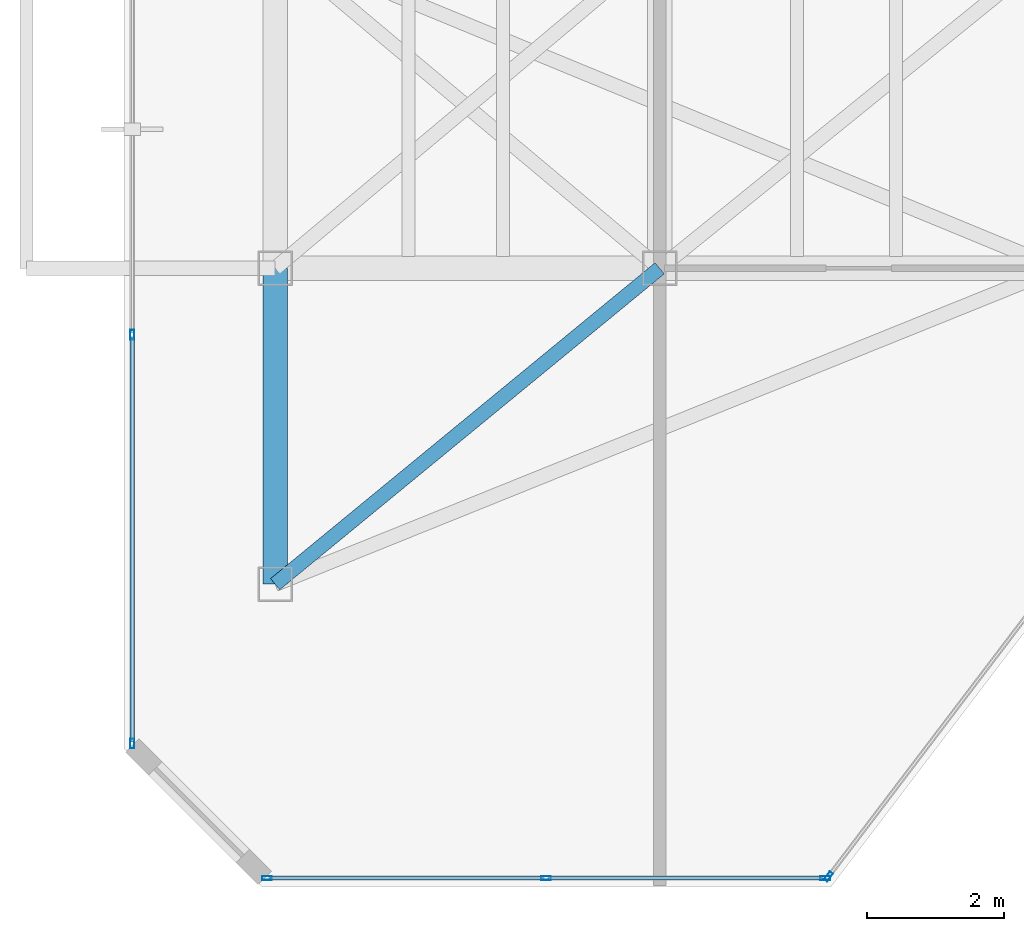
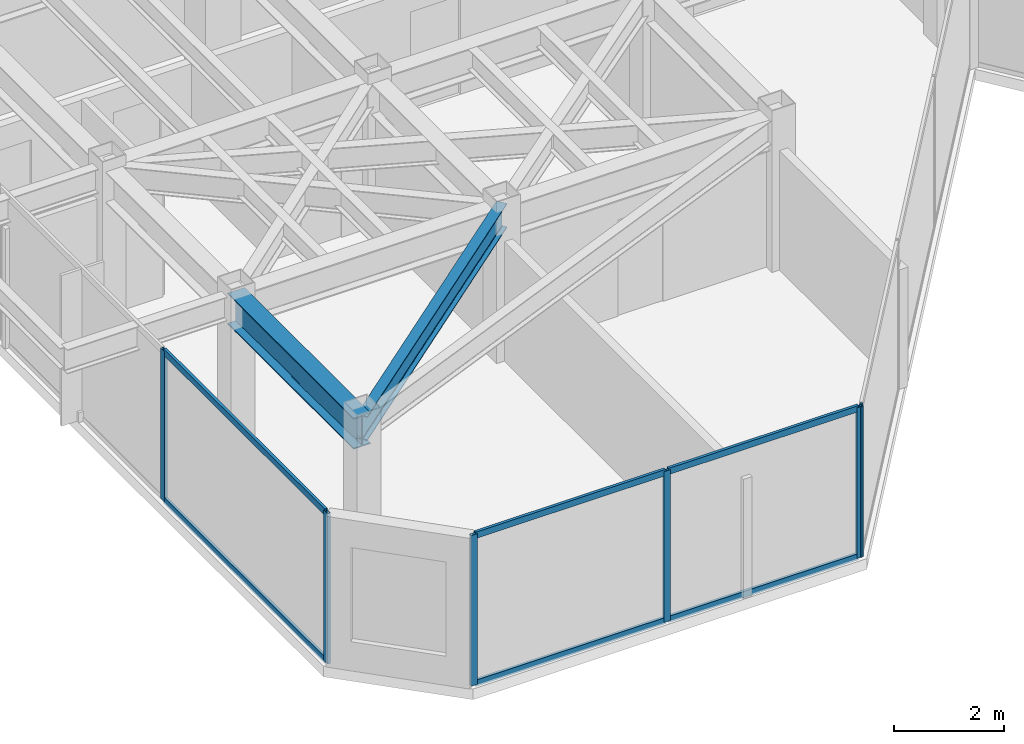
# One storey, part 2 of 20: 12 members, 2 beams, 3 elements without a shape of their own.
"""IFC4 building model written with IfcOpenShell, lengths in metres."""

from ifc_helpers import new_model, si_unit, direction, frame, origin, origin_2d, place, context, subcontext, project, spatial, hollow_rectangle, i_section, extrude, material, layer, layer_set, material_profile, profile_set, type_object, element, aggregate, save


model = new_model("IFC4")

# Units and contexts
model_context = context("Model", 3, precision=1e-05, world=origin(), true_north=direction((0.0, 1.0)))
body_context = subcontext(model_context, "Body", "Model", "MODEL_VIEW")
ifc_project = project(units=[si_unit("LENGTHUNIT", "METRE"), si_unit("AREAUNIT", "SQUARE_METRE"), si_unit("VOLUMEUNIT", "CUBIC_METRE"), si_unit("PLANEANGLEUNIT", "RADIAN"), si_unit("MASSUNIT", "GRAM", prefix="KILO")], contexts=[model_context])

# Site, building, storey
site_placement = place(None, origin())
site = spatial("IfcSite", under=ifc_project, at=site_placement, CompositionType="ELEMENT")
building_placement = place(site_placement, origin())
building = spatial("IfcBuilding", under=site, at=building_placement, Name="Kravanh Interchange Tower", CompositionType="ELEMENT")
storey_placement = place(building_placement, frame((0.0, 0.0, 252.60009765625)))
storey = spatial("IfcBuildingStorey", under=building, at=storey_placement, Name="L61", CompositionType="ELEMENT", Elevation=252.60009765625)

# Curtain wall, members
ifc_material_1 = material(Name="Anodised Bronze Aluminium", Category="aluminium")
ifc_layer = layer(ifc_material_1, 0.179931640625)
ifc_layer_set = layer_set([ifc_layer], Name="Unitised Curtain Wall System CW-HTL Luxury Hotel")
curtain_wall_type = type_object("IfcCurtainWallType", Name="Unitised Curtain Wall System CW-HTL Luxury Hotel", PredefinedType="NOTDEFINED", material=ifc_layer_set)
curtain_wall_1_placement = place(storey_placement, origin())
curtain_wall_1 = element("IfcCurtainWall", 1, at=curtain_wall_1_placement, inside=storey, type_object=curtain_wall_type, Name="L61 Unitised Curtain Wall CW-L61-01", PredefinedType="NOTDEFINED")
ifc_material_2 = material(Name="Anodised Bronze Aluminium", Category="aluminium")
ifc_material_profile_1 = material_profile(ifc_material_2, hollow_rectangle(XDim=0.06005859375, YDim=0.139892578125, WallThickness=0.00390625, at=origin_2d()), Name="ALU60X140X4")
ifc_profile_set_1 = profile_set([ifc_material_profile_1], Name="Anodised Bronze Aluminium")
member_type_1 = type_object("IfcMemberType", Name="Curtain Wall Mullion ALU60X140X4 Bronze", PredefinedType="MULLION", material=ifc_profile_set_1)
member_1_placement = place(storey_placement, frame((25.1201171875, 19.879638671875, 0.0), z_axis=(0.0, 0.0, 1.0), x_axis=(-1.0, 0.0, 0.0)))
member_1 = element("IfcMember", 2, at=member_1_placement, type_object=member_type_1, Name="CW-HTL mullion 1", PredefinedType="MULLION", context=body_context, shape_type="SweptSolid", body=[
    extrude(hollow_rectangle(XDim=0.06005859375, YDim=0.139892578125, WallThickness=0.00390625, at=origin_2d()), origin(), (0.0, 0.0, 1.0), 3.35986328125),
])
member_2_placement = place(storey_placement, frame((25.1201171875, 25.833251953125, 0.0), z_axis=(0.0, 0.0, 1.0), x_axis=(-1.0, 0.0, 0.0)))
member_2 = element("IfcMember", 3, at=member_2_placement, type_object=member_type_1, Name="CW-HTL mullion 2", PredefinedType="MULLION", context=body_context, shape_type="SweptSolid", body=[
    extrude(hollow_rectangle(XDim=0.06005859375, YDim=0.139892578125, WallThickness=0.00390625, at=origin_2d()), origin(), (0.0, 0.0, 1.0), 3.35986328125),
])

# Curtain wall, member
curtain_wall_2_placement = place(storey_placement, origin())
curtain_wall_2 = element("IfcCurtainWall", 4, at=curtain_wall_2_placement, inside=storey, type_object=curtain_wall_type, Name="L61 Unitised Curtain Wall CW-L61-05", PredefinedType="NOTDEFINED")
member_3_placement = place(storey_placement, frame((35.258544921875, 17.94384765625, 0.0), z_axis=(0.0, 0.0, 1.0), x_axis=(0.79616243806, -0.605082946564, 0.0)))
member_3 = element("IfcMember", 5, at=member_3_placement, type_object=member_type_1, Name="CW-HTL mullion 4", PredefinedType="MULLION", context=body_context, shape_type="SweptSolid", body=[
    extrude(hollow_rectangle(XDim=0.06005859375, YDim=0.139892578125, WallThickness=0.00390625, at=origin_2d()), origin(), (0.0, 0.0, 1.0), 3.35986328125),
])
aggregate(curtain_wall_2, [member_3])

# Curtain wall, members
curtain_wall_3_placement = place(storey_placement, origin())
curtain_wall_3 = element("IfcCurtainWall", 6, at=curtain_wall_3_placement, inside=storey, type_object=curtain_wall_type, Name="L61 Unitised Curtain Wall CW-L61-06", PredefinedType="NOTDEFINED")
member_4_placement = place(storey_placement, frame((35.21044921875, 17.919921875, 0.0), z_axis=(0.0, 0.0, 1.0), x_axis=(0.0, -1.0, 0.0)))
member_4 = element("IfcMember", 7, at=member_4_placement, type_object=member_type_1, Name="CW-HTL mullion 1", PredefinedType="MULLION", context=body_context, shape_type="SweptSolid", body=[
    extrude(hollow_rectangle(XDim=0.06005859375, YDim=0.139892578125, WallThickness=0.00390625, at=origin_2d()), origin(), (0.0, 0.0, 1.0), 3.35986328125),
])
member_5_placement = place(storey_placement, frame((31.14501953125, 17.919921875, 0.0), z_axis=(0.0, 0.0, 1.0), x_axis=(0.0, -1.0, 0.0)))
member_5 = element("IfcMember", 8, at=member_5_placement, type_object=member_type_1, Name="CW-HTL mullion 2", PredefinedType="MULLION", context=body_context, shape_type="SweptSolid", body=[
    extrude(hollow_rectangle(XDim=0.06005859375, YDim=0.139892578125, WallThickness=0.00390625, at=origin_2d()), origin(), (0.0, 0.0, 1.0), 3.35986328125),
])
member_6_placement = place(storey_placement, frame((27.07958984375, 17.919921875, 0.0), z_axis=(0.0, 0.0, 1.0), x_axis=(0.0, -1.0, 0.0)))
member_6 = element("IfcMember", 9, at=member_6_placement, type_object=member_type_1, Name="CW-HTL mullion 3", PredefinedType="MULLION", context=body_context, shape_type="SweptSolid", body=[
    extrude(hollow_rectangle(XDim=0.06005859375, YDim=0.139892578125, WallThickness=0.00390625, at=origin_2d()), origin(), (0.0, 0.0, 1.0), 3.35986328125),
])

# Member
ifc_material_3 = material(Name="Anodised Bronze Aluminium", Category="aluminium")
ifc_material_profile_2 = material_profile(ifc_material_3, hollow_rectangle(XDim=0.06005859375, YDim=0.139892578125, WallThickness=0.00390625, at=origin_2d()), Name="ALU60X140X4")
ifc_profile_set_2 = profile_set([ifc_material_profile_2], Name="Anodised Bronze Aluminium")
member_type_2 = type_object("IfcMemberType", Name="Curtain Wall Transom ALU60X140X4 Bronze", PredefinedType="USERDEFINED", material=ifc_profile_set_2)
member_7_placement = place(storey_placement, frame((25.1201171875, 19.90966796875, 0.02978515625), z_axis=(0.0, 1.0, 0.0), x_axis=(-1.0, 0.0, 0.0)))
member_7 = element("IfcMember", 10, at=member_7_placement, type_object=member_type_2, Name="CW-HTL transom 1.1", ObjectType="TRANSOM", PredefinedType="USERDEFINED", context=body_context, shape_type="SweptSolid", body=[
    extrude(hollow_rectangle(XDim=0.06005859375, YDim=0.139892578125, WallThickness=0.00390625, at=origin_2d()), origin(), (0.0, 0.0, 1.0), 5.8935546875),
])

member_8_placement = place(storey_placement, frame((25.1201171875, 19.90966796875, 3.329833984375), z_axis=(0.0, 1.0, 0.0), x_axis=(-1.0, 0.0, 0.0)))
member_8 = element("IfcMember", 11, at=member_8_placement, type_object=member_type_2, Name="CW-HTL transom 1.2", ObjectType="TRANSOM", PredefinedType="USERDEFINED", context=body_context, shape_type="SweptSolid", body=[
    extrude(hollow_rectangle(XDim=0.06005859375, YDim=0.139892578125, WallThickness=0.00390625, at=origin_2d()), origin(), (0.0, 0.0, 1.0), 5.8935546875),
])

aggregate(curtain_wall_1, [member_1, member_2, member_7, member_8])

member_9_placement = place(storey_placement, frame((35.180419921875, 17.919921875, 0.02978515625), z_axis=(-1.0, 0.0, 0.0), x_axis=(0.0, -1.0, 0.0)))
member_9 = element("IfcMember", 12, at=member_9_placement, type_object=member_type_2, Name="CW-HTL transom 1.1", ObjectType="TRANSOM", PredefinedType="USERDEFINED", context=body_context, shape_type="SweptSolid", body=[
    extrude(hollow_rectangle(XDim=0.06005859375, YDim=0.139892578125, WallThickness=0.00390625, at=origin_2d()), origin(), (0.0, 0.0, 1.0), 4.00537109375),
])

member_10_placement = place(storey_placement, frame((35.180419921875, 17.919921875, 3.329833984375), z_axis=(-1.0, 0.0, 0.0), x_axis=(0.0, -1.0, 0.0)))
member_10 = element("IfcMember", 13, at=member_10_placement, type_object=member_type_2, Name="CW-HTL transom 1.2", ObjectType="TRANSOM", PredefinedType="USERDEFINED", context=body_context, shape_type="SweptSolid", body=[
    extrude(hollow_rectangle(XDim=0.06005859375, YDim=0.139892578125, WallThickness=0.00390625, at=origin_2d()), origin(), (0.0, 0.0, 1.0), 4.00537109375),
])

member_11_placement = place(storey_placement, frame((31.114990234375, 17.919921875, 0.02978515625), z_axis=(-1.0, 0.0, 0.0), x_axis=(0.0, -1.0, 0.0)))
member_11 = element("IfcMember", 14, at=member_11_placement, type_object=member_type_2, Name="CW-HTL transom 2.1", ObjectType="TRANSOM", PredefinedType="USERDEFINED", context=body_context, shape_type="SweptSolid", body=[
    extrude(hollow_rectangle(XDim=0.06005859375, YDim=0.139892578125, WallThickness=0.00390625, at=origin_2d()), origin(), (0.0, 0.0, 1.0), 4.00537109375),
])

member_12_placement = place(storey_placement, frame((31.114990234375, 17.919921875, 3.329833984375), z_axis=(-1.0, 0.0, 0.0), x_axis=(0.0, -1.0, 0.0)))
member_12 = element("IfcMember", 15, at=member_12_placement, type_object=member_type_2, Name="CW-HTL transom 2.2", ObjectType="TRANSOM", PredefinedType="USERDEFINED", context=body_context, shape_type="SweptSolid", body=[
    extrude(hollow_rectangle(XDim=0.06005859375, YDim=0.139892578125, WallThickness=0.00390625, at=origin_2d()), origin(), (0.0, 0.0, 1.0), 4.00537109375),
])

aggregate(curtain_wall_3, [member_4, member_5, member_6, member_9, member_10, member_11, member_12])

# Beams
ifc_material_4 = material(Name="Structural Steel S355", Category="steel")
ifc_material_profile_3 = material_profile(ifc_material_4, i_section(OverallWidth=0.35498046875, OverallDepth=0.696044921875, WebThickness=0.015380859375, FlangeThickness=0.02490234375, FilletRadius=0.02392578125, at=origin_2d()), Name="W27X146")
ifc_profile_set_3 = profile_set([ifc_material_profile_3], Name="Structural Steel S355")
beam_type_1 = type_object("IfcBeamType", Name="Floor Beam W27X146 Structural Steel S355", PredefinedType="BEAM", material=ifc_profile_set_3)
beam_1_placement = place(storey_placement, frame((27.199951171875, 22.199951171875, 3.011962890625), z_axis=(0.0, 1.0, 0.0), x_axis=(-1.0, 0.0, 0.0)))
element("IfcBeam", 16, at=beam_1_placement, inside=storey, type_object=beam_type_1, Name="L61 Primary Floor Girder 40", PredefinedType="BEAM", context=body_context, shape_type="SweptSolid", body=[
    extrude(i_section(OverallWidth=0.35498046875, OverallDepth=0.696044921875, WebThickness=0.015380859375, FlangeThickness=0.02490234375, FilletRadius=0.02392578125, at=origin_2d()), origin(), (0.0, 0.0, 1.0), 4.60009765625),
])
ifc_material_5 = material(Name="Structural Steel S355", Category="steel")
ifc_material_profile_4 = material_profile(ifc_material_5, i_section(OverallWidth=0.2099609375, OverallDepth=0.537109375, WebThickness=0.010986328125, FlangeThickness=0.017333984375, FilletRadius=0.02001953125, at=origin_2d()), Name="W21X68")
ifc_profile_set_4 = profile_set([ifc_material_profile_4], Name="Structural Steel S355")
beam_type_2 = type_object("IfcBeamType", Name="Floor Spandrel W21X68 Structural Steel S355", PredefinedType="SPANDREL", material=ifc_profile_set_4)
beam_2_placement = place(storey_placement, frame((27.199951171875, 22.199951171875, 3.09130859375), z_axis=(0.772725074305, 0.634740860147, 0.0), x_axis=(-0.634740860147, 0.772725074305, 0.0)))
element("IfcBeam", 17, at=beam_2_placement, inside=storey, type_object=beam_type_2, Name="L61 Perimeter Spandrel 41", PredefinedType="SPANDREL", context=body_context, shape_type="SweptSolid", body=[
    extrude(i_section(OverallWidth=0.2099609375, OverallDepth=0.537109375, WebThickness=0.010986328125, FlangeThickness=0.017333984375, FilletRadius=0.02001953125, at=origin_2d()), origin(), (0.0, 0.0, 1.0), 7.247314453125),
])

save(model, "model.ifc")
